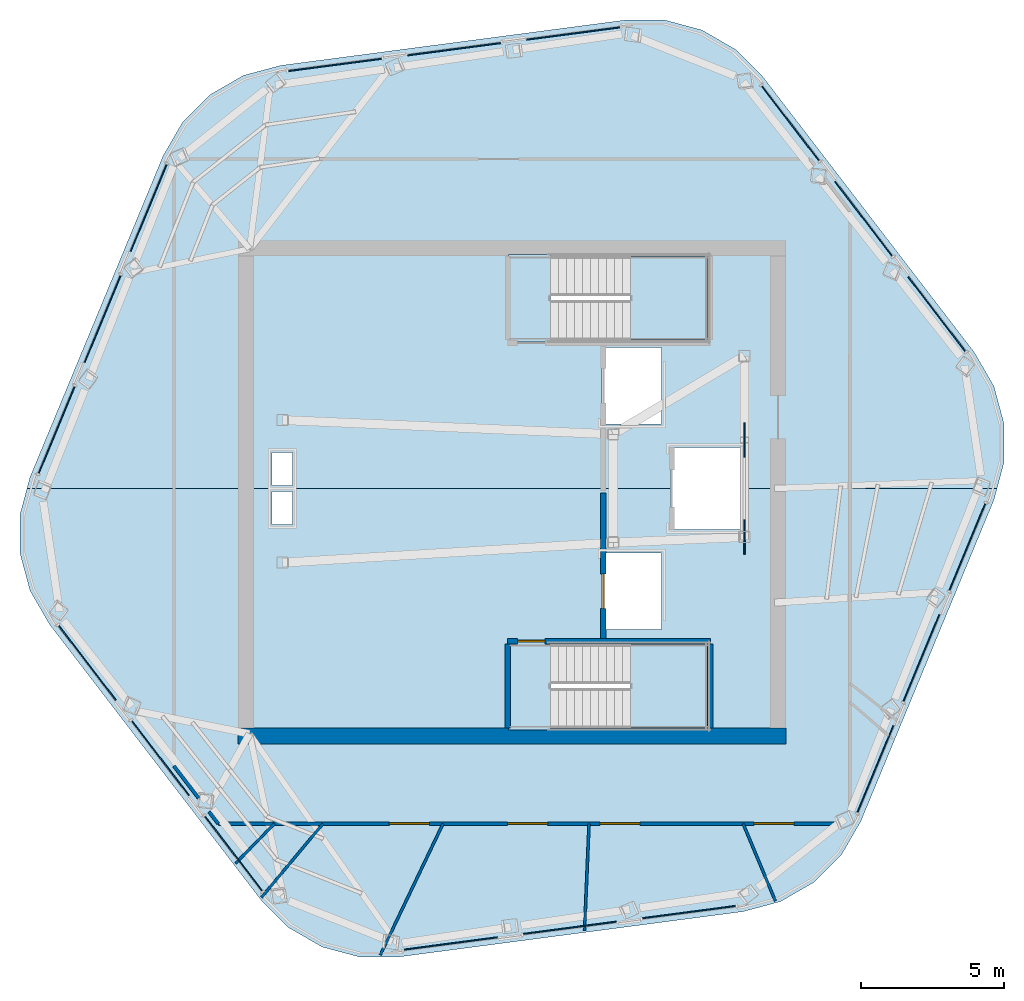
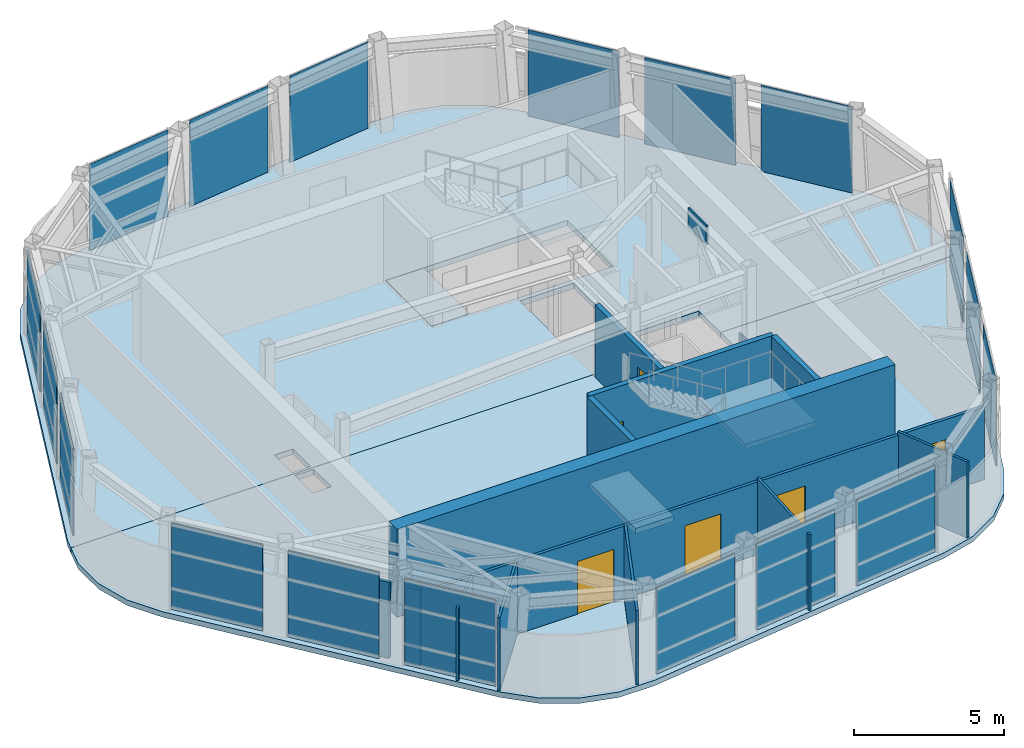
# One storey, part 5 of 9: 20 plates, 13 walls, 6 doors, 6 slabs, 6 openings, 8 elements without a shape of their own.
"""IFC4 building model written with IfcOpenShell, lengths in metres."""

from ifc_helpers import new_model, si_unit, direction, frame, frame_2d, origin, origin_2d, place, context, subcontext, project, spatial, polyline, rectangle, outline, extrude, material, layer, layer_set, type_object, element, fill, aggregate, save


model = new_model("IFC4")

# Units and contexts
model_context = context("Model", 3, precision=1e-05, world=origin(), true_north=direction((0.0, 1.0)))
body_context = subcontext(model_context, "Body", "Model", "MODEL_VIEW")
ifc_project = project(units=[si_unit("LENGTHUNIT", "METRE"), si_unit("AREAUNIT", "SQUARE_METRE"), si_unit("VOLUMEUNIT", "CUBIC_METRE"), si_unit("PLANEANGLEUNIT", "RADIAN"), si_unit("MASSUNIT", "GRAM", prefix="KILO")], contexts=[model_context])

# Site, building, storey
site_placement = place(None, origin())
site = spatial("IfcSite", under=ifc_project, at=site_placement, CompositionType="ELEMENT")
building_placement = place(site_placement, origin())
building = spatial("IfcBuilding", under=site, at=building_placement, Name="Valkerne Bourse Tower", CompositionType="ELEMENT")
storey_placement = place(building_placement, frame((0.0, 0.0, 315.39990234375)))
storey = spatial("IfcBuildingStorey", under=building, at=storey_placement, Name="L80", CompositionType="ELEMENT", Elevation=315.39990234375)

# Curtain wall, plates
ifc_material_1 = material(Name="Aluminium AA 6063-T6", Category="aluminium")
ifc_layer_1 = layer(ifc_material_1, 0.25)
ifc_layer_set_1 = layer_set([ifc_layer_1], Name="Aluminium AA 6063-T6")
curtain_wall_type = type_object("IfcCurtainWallType", Name="CW-06", PredefinedType="NOTDEFINED", material=ifc_layer_set_1)
curtain_wall_1_placement = place(storey_placement, origin())
curtain_wall_1 = element("IfcCurtainWall", 1, at=curtain_wall_1_placement, inside=storey, type_object=curtain_wall_type, Name="L80 Hexagonal Stick Curtain Wall Face 1", PredefinedType="NOTDEFINED")
ifc_material_2 = material(Name="Bronze Anodised Aluminium AA 6063-T6", Category="aluminium")
ifc_layer_2 = layer(ifc_material_2, 0.0400390625)
ifc_layer_set_2 = layer_set([ifc_layer_2], Name="Bronze Anodised Aluminium AA 6063-T6")
plate_type_1 = type_object("IfcPlateType", Name="CW-PNL-LOUVRE-40", PredefinedType="CURTAIN_PANEL", material=ifc_layer_set_2)
plate_1_placement = place(storey_placement, frame((48.94775390625, 42.95556640625, 0.030029296875), z_axis=(0.0, 0.0, 1.0), x_axis=(-0.991444272388, -0.130530665937, 0.0)))
plate_1 = element("IfcPlate", 2, at=plate_1_placement, type_object=plate_type_1, Name="CW-L80-F1 Curtain Panel 00", PredefinedType="CURTAIN_PANEL", context=body_context, shape_type="SweptSolid", body=[
    extrude(rectangle(XDim=3.2919921875, YDim=0.0400390625, at=origin_2d()), origin(), (0.0, 0.0, 1.0), 3.52001953125),
])
plate_2_placement = place(storey_placement, frame((44.771728515625, 42.40576171875, 0.030029296875), z_axis=(0.0, 0.0, 1.0), x_axis=(-0.991443867861, -0.130533738481, 0.0)))
plate_2 = element("IfcPlate", 3, at=plate_2_placement, type_object=plate_type_1, Name="CW-L80-F1 Curtain Panel 01", PredefinedType="CURTAIN_PANEL", context=body_context, shape_type="SweptSolid", body=[
    extrude(rectangle(XDim=3.2919921875, YDim=0.0400390625, at=origin_2d()), origin(), (0.0, 0.0, 1.0), 3.52001953125),
])
plate_3_placement = place(storey_placement, frame((40.595703125, 41.85595703125, 0.030029296875), z_axis=(0.0, 0.0, 1.0), x_axis=(-0.991447344601, -0.130507328854, 0.0)))
plate_3 = element("IfcPlate", 4, at=plate_3_placement, type_object=plate_type_1, Name="CW-L80-F1 Curtain Panel 02", PredefinedType="CURTAIN_PANEL", context=body_context, shape_type="SweptSolid", body=[
    extrude(rectangle(XDim=3.2919921875, YDim=0.0400390625, at=origin_2d()), origin(), (0.0, 0.0, 1.0), 3.52001953125),
])
aggregate(curtain_wall_1, [plate_1, plate_2, plate_3])

curtain_wall_2_placement = place(storey_placement, origin())
curtain_wall_2 = element("IfcCurtainWall", 5, at=curtain_wall_2_placement, inside=storey, type_object=curtain_wall_type, Name="L80 Hexagonal Stick Curtain Wall Face 2", PredefinedType="NOTDEFINED")
plate_4_placement = place(storey_placement, frame((34.055908203125, 36.837890625, 0.030029296875), z_axis=(0.0, 0.0, 1.0), x_axis=(-0.382689378694, -0.923877069439, 0.0)))
plate_4 = element("IfcPlate", 6, at=plate_4_placement, type_object=plate_type_1, Name="CW-L80-F2 Curtain Panel 00", PredefinedType="CURTAIN_PANEL", context=body_context, shape_type="SweptSolid", body=[
    extrude(rectangle(XDim=3.2919921875, YDim=0.0400390625, at=origin_2d()), origin(), (0.0, 0.0, 1.0), 3.52001953125),
])
plate_5_placement = place(storey_placement, frame((32.444091796875, 32.9462890625, 0.030029296875), z_axis=(0.0, 0.0, 1.0), x_axis=(-0.382669113873, -0.923885463295, 0.0)))
plate_5 = element("IfcPlate", 7, at=plate_5_placement, type_object=plate_type_1, Name="CW-L80-F2 Curtain Panel 01", PredefinedType="CURTAIN_PANEL", context=body_context, shape_type="SweptSolid", body=[
    extrude(rectangle(XDim=3.2919921875, YDim=0.0400390625, at=origin_2d()), origin(), (0.0, 0.0, 1.0), 3.52001953125),
])
plate_6_placement = place(storey_placement, frame((30.832275390625, 29.054931640625, 0.030029296875), z_axis=(0.0, 0.0, 1.0), x_axis=(-0.382689378694, -0.923877069439, 0.0)))
plate_6 = element("IfcPlate", 8, at=plate_6_placement, type_object=plate_type_1, Name="CW-L80-F2 Curtain Panel 02", PredefinedType="CURTAIN_PANEL", context=body_context, shape_type="SweptSolid", body=[
    extrude(rectangle(XDim=3.2919921875, YDim=0.0400390625, at=origin_2d()), origin(), (0.0, 0.0, 1.0), 3.52001953125),
])
aggregate(curtain_wall_2, [plate_4, plate_5, plate_6])

curtain_wall_3_placement = place(storey_placement, origin())
curtain_wall_3 = element("IfcCurtainWall", 9, at=curtain_wall_3_placement, inside=storey, type_object=curtain_wall_type, Name="L80 Hexagonal Stick Curtain Wall Face 3", PredefinedType="NOTDEFINED")
plate_7_placement = place(storey_placement, frame((31.908203125, 20.882080078125, 0.030029296875), z_axis=(0.0, 0.0, 1.0), x_axis=(0.608761449474, -0.793353324588, 0.0)))
plate_7 = element("IfcPlate", 10, at=plate_7_placement, type_object=plate_type_1, Name="CW-L80-F3 Curtain Panel 00", PredefinedType="CURTAIN_PANEL", context=body_context, shape_type="SweptSolid", body=[
    extrude(rectangle(XDim=3.2919921875, YDim=0.0400390625, at=origin_2d()), origin(), (0.0, 0.0, 1.0), 3.52001953125),
])
plate_8_placement = place(storey_placement, frame((34.472412109375, 17.54052734375, 0.030029296875), z_axis=(0.0, 0.0, 1.0), x_axis=(0.608761449474, -0.793353324588, 0.0)))
plate_8 = element("IfcPlate", 11, at=plate_8_placement, type_object=plate_type_1, Name="CW-L80-F3 Curtain Panel 01", PredefinedType="CURTAIN_PANEL", context=body_context, shape_type="SweptSolid", body=[
    extrude(rectangle(XDim=3.2919921875, YDim=0.0400390625, at=origin_2d()), origin(), (0.0, 0.0, 1.0), 3.52001953125),
])
plate_9_placement = place(storey_placement, frame((37.036376953125, 14.198974609375, 0.030029296875), z_axis=(0.0, 0.0, 1.0), x_axis=(0.608761449474, -0.793353324588, 0.0)))
plate_9 = element("IfcPlate", 12, at=plate_9_placement, type_object=plate_type_1, Name="CW-L80-F3 Curtain Panel 02", PredefinedType="CURTAIN_PANEL", context=body_context, shape_type="SweptSolid", body=[
    extrude(rectangle(XDim=3.2919921875, YDim=0.0400390625, at=origin_2d()), origin(), (0.0, 0.0, 1.0), 3.52001953125),
])
aggregate(curtain_wall_3, [plate_7, plate_8, plate_9])

curtain_wall_4_placement = place(storey_placement, origin())
curtain_wall_4 = element("IfcCurtainWall", 13, at=curtain_wall_4_placement, inside=storey, type_object=curtain_wall_type, Name="L80 Hexagonal Stick Curtain Wall Face 4", PredefinedType="NOTDEFINED")
plate_10_placement = place(storey_placement, frame((44.65234375, 11.04443359375, 0.030029296875), z_axis=(0.0, 0.0, 1.0), x_axis=(0.991444272388, 0.130530665937, 0.0)))
plate_10 = element("IfcPlate", 14, at=plate_10_placement, type_object=plate_type_1, Name="CW-L80-F4 Curtain Panel 00", PredefinedType="CURTAIN_PANEL", context=body_context, shape_type="SweptSolid", body=[
    extrude(rectangle(XDim=3.2919921875, YDim=0.0400390625, at=origin_2d()), origin(), (0.0, 0.0, 1.0), 3.52001953125),
])
plate_11_placement = place(storey_placement, frame((48.828125, 11.59423828125, 0.030029296875), z_axis=(0.0, 0.0, 1.0), x_axis=(0.991443867861, 0.130533738481, 0.0)))
plate_11 = element("IfcPlate", 15, at=plate_11_placement, type_object=plate_type_1, Name="CW-L80-F4 Curtain Panel 01", PredefinedType="CURTAIN_PANEL", context=body_context, shape_type="SweptSolid", body=[
    extrude(rectangle(XDim=3.2919921875, YDim=0.0400390625, at=origin_2d()), origin(), (0.0, 0.0, 1.0), 3.52001953125),
])
plate_12_placement = place(storey_placement, frame((53.004150390625, 12.14404296875, 0.030029296875), z_axis=(0.0, 0.0, 1.0), x_axis=(0.991447344601, 0.130507328854, 0.0)))
plate_12 = element("IfcPlate", 16, at=plate_12_placement, type_object=plate_type_1, Name="CW-L80-F4 Curtain Panel 02", PredefinedType="CURTAIN_PANEL", context=body_context, shape_type="SweptSolid", body=[
    extrude(rectangle(XDim=3.2919921875, YDim=0.0400390625, at=origin_2d()), origin(), (0.0, 0.0, 1.0), 3.52001953125),
])
aggregate(curtain_wall_4, [plate_10, plate_11, plate_12])

curtain_wall_5_placement = place(storey_placement, origin())
curtain_wall_5 = element("IfcCurtainWall", 17, at=curtain_wall_5_placement, inside=storey, type_object=curtain_wall_type, Name="L80 Hexagonal Stick Curtain Wall Face 5", PredefinedType="NOTDEFINED")
plate_13_placement = place(storey_placement, frame((59.5439453125, 17.162109375, 0.030029296875), z_axis=(0.0, 0.0, 1.0), x_axis=(0.382689378694, 0.923877069439, 0.0)))
plate_13 = element("IfcPlate", 18, at=plate_13_placement, type_object=plate_type_1, Name="CW-L80-F5 Curtain Panel 00", PredefinedType="CURTAIN_PANEL", context=body_context, shape_type="SweptSolid", body=[
    extrude(rectangle(XDim=3.2919921875, YDim=0.0400390625, at=origin_2d()), origin(), (0.0, 0.0, 1.0), 3.52001953125),
])
plate_14_placement = place(storey_placement, frame((61.156005859375, 21.0537109375, 0.030029296875), z_axis=(0.0, 0.0, 1.0), x_axis=(0.382669113873, 0.923885463295, 0.0)))
plate_14 = element("IfcPlate", 19, at=plate_14_placement, type_object=plate_type_1, Name="CW-L80-F5 Curtain Panel 01", PredefinedType="CURTAIN_PANEL", context=body_context, shape_type="SweptSolid", body=[
    extrude(rectangle(XDim=3.2919921875, YDim=0.0400390625, at=origin_2d()), origin(), (0.0, 0.0, 1.0), 3.52001953125),
])
plate_15_placement = place(storey_placement, frame((62.767578125, 24.945068359375, 0.030029296875), z_axis=(0.0, 0.0, 1.0), x_axis=(0.382689378694, 0.923877069439, 0.0)))
plate_15 = element("IfcPlate", 20, at=plate_15_placement, type_object=plate_type_1, Name="CW-L80-F5 Curtain Panel 02", PredefinedType="CURTAIN_PANEL", context=body_context, shape_type="SweptSolid", body=[
    extrude(rectangle(XDim=3.2919921875, YDim=0.0400390625, at=origin_2d()), origin(), (0.0, 0.0, 1.0), 3.52001953125),
])
aggregate(curtain_wall_5, [plate_13, plate_14, plate_15])

curtain_wall_6_placement = place(storey_placement, origin())
curtain_wall_6 = element("IfcCurtainWall", 21, at=curtain_wall_6_placement, inside=storey, type_object=curtain_wall_type, Name="L80 Hexagonal Stick Curtain Wall Face 6", PredefinedType="NOTDEFINED")
plate_16_placement = place(storey_placement, frame((61.69189453125, 33.117919921875, 0.030029296875), z_axis=(0.0, 0.0, 1.0), x_axis=(-0.608761449474, 0.793353324588, 0.0)))
plate_16 = element("IfcPlate", 22, at=plate_16_placement, type_object=plate_type_1, Name="CW-L80-F6 Curtain Panel 00", PredefinedType="CURTAIN_PANEL", context=body_context, shape_type="SweptSolid", body=[
    extrude(rectangle(XDim=3.2919921875, YDim=0.0400390625, at=origin_2d()), origin(), (0.0, 0.0, 1.0), 3.52001953125),
])
plate_17_placement = place(storey_placement, frame((59.127685546875, 36.45947265625, 0.030029296875), z_axis=(0.0, 0.0, 1.0), x_axis=(-0.608761449474, 0.793353324588, 0.0)))
plate_17 = element("IfcPlate", 23, at=plate_17_placement, type_object=plate_type_1, Name="CW-L80-F6 Curtain Panel 01", PredefinedType="CURTAIN_PANEL", context=body_context, shape_type="SweptSolid", body=[
    extrude(rectangle(XDim=3.2919921875, YDim=0.0400390625, at=origin_2d()), origin(), (0.0, 0.0, 1.0), 3.52001953125),
])
plate_18_placement = place(storey_placement, frame((56.563720703125, 39.801025390625, 0.030029296875), z_axis=(0.0, 0.0, 1.0), x_axis=(-0.608761449474, 0.793353324588, 0.0)))
plate_18 = element("IfcPlate", 24, at=plate_18_placement, type_object=plate_type_1, Name="CW-L80-F6 Curtain Panel 02", PredefinedType="CURTAIN_PANEL", context=body_context, shape_type="SweptSolid", body=[
    extrude(rectangle(XDim=3.2919921875, YDim=0.0400390625, at=origin_2d()), origin(), (0.0, 0.0, 1.0), 3.52001953125),
])
aggregate(curtain_wall_6, [plate_16, plate_17, plate_18])

# Plates
ifc_material_3 = material(Name="Steel ASTM A572 Grade 50", Category="steel")
ifc_layer_3 = layer(ifc_material_3, 0.06005859375)
ifc_layer_set_3 = layer_set([ifc_layer_3], Name="Steel ASTM A572 Grade 50")
plate_type_2 = type_object("IfcPlateType", Name="PLT-GUS-60", PredefinedType="SHEET", material=ifc_layer_set_3)
for number, where, z_axis, x_axis, name in (
    (25, (54.949951171875, 25.300048828125, -0.1796875), (0.0, 0.0, 1.0), (0.0, 1.0, 0.0), "L80 Brace Node Gusset Plate PLT-GUS-END-L80-476"),
    (26, (54.949951171875, 28.699951171875, 2.8740234375), (0.0, 0.0, 1.0), (0.0, 1.0, 0.0), "L80 Brace Node Gusset Plate PLT-GUS-END-L80-477"),
):
    element("IfcPlate", number, at=place(storey_placement, frame(where, z_axis=z_axis, x_axis=x_axis)), inside=storey, type_object=plate_type_2, Name=name, PredefinedType="SHEET", context=body_context, shape_type="SweptSolid", body=[
        extrude(rectangle(XDim=1.199951171875, YDim=0.06005859375, at=origin_2d()), origin(), (0.0, 0.0, 1.0), 0.800048828125),
    ])

# Slabs
ifc_material_4 = material(Name="Concrete C40/50", Category="concrete")
ifc_layer_4 = layer(ifc_material_4, 0.219970703125)
ifc_layer_set_4 = layer_set([ifc_layer_4], Name="Concrete C40/50")
slab_type_1 = type_object("IfcSlabType", Name="SLB-CRN-220", PredefinedType="FLOOR", material=ifc_layer_set_4)
slab_1_placement = place(storey_placement, frame((0.0, 0.0, -0.219970703125)))
element("IfcSlab", 27, at=slab_1_placement, inside=storey, type_object=slab_type_1, Name="L80 Hexagonal Composite Floor Slab S", PredefinedType="FLOOR", context=body_context, shape_type="SweptSolid", body=[
    extrude(outline(polyline([(63.6953125, 26.601806640625), (59.0283203125, 15.334716796875), (58.349609375, 14.1591796875), (57.3896484375, 13.19921875), (56.214111328125, 12.5205078125), (54.90283203125, 12.169189453125), (42.811767578125, 10.577392578125), (41.4541015625, 10.577392578125), (40.14306640625, 10.9287109375), (38.96728515625, 11.607421875), (38.007568359375, 12.567138671875), (30.583251953125, 22.24267578125), (29.904541015625, 23.418212890625), (29.55322265625, 24.7294921875), (29.55322265625, 26.0869140625), (29.7978515625, 27.0), (52.360107421875, 27.0), (52.360107421875, 25.56005859375), (54.840087890625, 25.56005859375), (54.840087890625, 27.0), (63.802001953125, 27.0), (63.6953125, 26.601806640625)]), holes=[polyline([(46.6650390625, 18.534912109375), (53.675048828125, 18.534912109375), (53.675048828125, 21.614990234375), (46.6650390625, 21.614990234375), (46.6650390625, 18.534912109375)]), polyline([(49.9599609375, 24.739990234375), (49.9599609375, 22.06005859375), (52.0400390625, 22.06005859375), (52.0400390625, 24.739990234375), (49.9599609375, 24.739990234375)]), polyline([(38.3798828125, 26.89990234375), (38.3798828125, 25.72998046875), (39.10009765625, 25.72998046875), (39.10009765625, 26.89990234375), (38.3798828125, 26.89990234375)])]), origin(), (0.0, 0.0, 1.0), 0.219970703125),
])
slab_2_placement = place(storey_placement, frame((0.0, 0.0, -0.219970703125)))
element("IfcSlab", 28, at=slab_2_placement, inside=storey, type_object=slab_type_1, Name="L80 Hexagonal Composite Floor Slab N", PredefinedType="FLOOR", context=body_context, shape_type="SweptSolid", body=[
    extrude(outline(polyline([(63.6953125, 30.581787109375), (64.046630859375, 29.2705078125), (64.046630859375, 27.9130859375), (63.802001953125, 27.0), (54.840087890625, 27.0), (54.840087890625, 28.43994140625), (52.360107421875, 28.43994140625), (52.360107421875, 27.0), (29.7978515625, 27.0), (29.904541015625, 27.398193359375), (34.571533203125, 38.665283203125), (35.25048828125, 39.8408203125), (36.210205078125, 40.80078125), (37.385986328125, 41.4794921875), (38.697021484375, 41.830810546875), (50.788330078125, 43.422607421875), (52.145751953125, 43.422607421875), (53.45703125, 43.0712890625), (54.632568359375, 42.392578125), (55.592529296875, 41.432861328125), (63.0166015625, 31.75732421875), (63.6953125, 30.581787109375)]), holes=[polyline([(38.3798828125, 28.27001953125), (38.3798828125, 27.10009765625), (39.10009765625, 27.10009765625), (39.10009765625, 28.27001953125), (38.3798828125, 28.27001953125)]), polyline([(49.9599609375, 31.93994140625), (49.9599609375, 29.260009765625), (52.0400390625, 29.260009765625), (52.0400390625, 31.93994140625), (49.9599609375, 31.93994140625)]), polyline([(46.6650390625, 35.215087890625), (46.6650390625, 32.135009765625), (53.675048828125, 32.135009765625), (53.675048828125, 35.215087890625), (46.6650390625, 35.215087890625)])]), origin(), (0.0, 0.0, 1.0), 0.219970703125),
])
ifc_layer_5 = layer(ifc_material_4, 0.25)
ifc_layer_set_5 = layer_set([ifc_layer_5], Name="Concrete C40/50")
slab_type_2 = type_object("IfcSlabType", Name="SLB-RMP-LND-250", PredefinedType="LANDING", material=ifc_layer_set_5)
slab_3_placement = place(storey_placement, frame((0.0, 0.0, -0.219970703125)))
element("IfcSlab", 29, at=slab_3_placement, inside=storey, type_object=slab_type_2, Name="L80 ST-1 Floor Landing Slab", PredefinedType="LANDING", context=body_context, shape_type="SweptSolid", body=[
    extrude(outline(polyline([(46.669921875, 18.5400390625), (48.14990234375, 18.5400390625), (48.14990234375, 21.610107421875), (46.669921875, 21.610107421875), (46.669921875, 18.5400390625)])), origin(), (0.0, 0.0, 1.0), 0.219970703125),
])
slab_4_placement = place(storey_placement, frame((0.0, 0.0, -0.219970703125)))
element("IfcSlab", 30, at=slab_4_placement, inside=storey, type_object=slab_type_2, Name="L80 ST-2 Floor Landing Slab", PredefinedType="LANDING", context=body_context, shape_type="SweptSolid", body=[
    extrude(outline(polyline([(46.669921875, 32.139892578125), (48.14990234375, 32.139892578125), (48.14990234375, 35.2099609375), (46.669921875, 35.2099609375), (46.669921875, 32.139892578125)])), origin(), (0.0, 0.0, 1.0), 0.219970703125),
])

# Stair, slab
stair_type = type_object("IfcStairType", Name="ST-CORE-1400", PredefinedType="HALF_TURN_STAIR", material=ifc_material_4)
stair_1_placement = place(storey_placement, origin())
stair_1 = element("IfcStair", 31, at=stair_1_placement, inside=storey, type_object=stair_type, Name="L80 ST-1", PredefinedType="HALF_TURN_STAIR")
ifc_layer_6 = layer(ifc_material_4, 0.179931640625)
ifc_layer_set_6 = layer_set([ifc_layer_6], Name="Concrete C40/50")
slab_type_3 = type_object("IfcSlabType", Name="SLB-ST-LND-180", PredefinedType="LANDING", material=ifc_layer_set_6)
slab_5_placement = place(storey_placement, frame((0.0, 0.0, 1.7001953125)))
slab_5 = element("IfcSlab", 32, at=slab_5_placement, type_object=slab_type_3, Name="ST-1 landing 1", PredefinedType="LANDING", context=body_context, shape_type="SweptSolid", body=[
    extrude(outline(polyline([(50.949951171875, 18.60009765625), (53.64990234375, 18.60009765625), (53.64990234375, 21.550048828125), (50.949951171875, 21.550048828125), (50.949951171875, 18.60009765625)])), origin(), (0.0, 0.0, 1.0), 0.199951171875),
])
aggregate(stair_1, [slab_5])

stair_2_placement = place(storey_placement, origin())
stair_2 = element("IfcStair", 33, at=stair_2_placement, inside=storey, type_object=stair_type, Name="L80 ST-2", PredefinedType="HALF_TURN_STAIR")
slab_6_placement = place(storey_placement, frame((0.0, 0.0, 1.7001953125)))
slab_6 = element("IfcSlab", 34, at=slab_6_placement, type_object=slab_type_3, Name="ST-2 landing 1", PredefinedType="LANDING", context=body_context, shape_type="SweptSolid", body=[
    extrude(outline(polyline([(50.949951171875, 32.199951171875), (53.64990234375, 32.199951171875), (53.64990234375, 35.14990234375), (50.949951171875, 35.14990234375), (50.949951171875, 32.199951171875)])), origin(), (0.0, 0.0, 1.0), 0.199951171875),
])
aggregate(stair_2, [slab_6])

# Wall
ifc_material_5 = material(Name="Concrete C55/67", Category="concrete")
ifc_layer_7 = layer(ifc_material_5, 0.550048828125)
ifc_layer_set_7 = layer_set([ifc_layer_7], Name="Concrete C55/67")
wall_type_1 = type_object("IfcWallType", Name="W-CORE-550", PredefinedType="SHEAR", material=ifc_layer_set_7)
wall_1_placement = place(storey_placement, frame((37.199951171875, 18.324951171875, 0.0), z_axis=(0.0, 0.0, 1.0), x_axis=(1.0, 0.0, 0.0)))
element("IfcWall", 35, at=wall_1_placement, inside=storey, type_object=wall_type_1, Name="L80 Core Shear Wall SOUTH", PredefinedType="SHEAR", context=body_context, shape_type="SweptSolid", body=[
    extrude(rectangle(XDim=19.199951171875, YDim=0.550048828125, at=frame_2d((9.60009765625, 0.0))), origin(), (0.0, 0.0, 1.0), 3.580078125),
])

# Wall, openings, doors
ifc_material_6 = material(Name="Gypsum Board Steel-Stud Partition", Category="steel")
ifc_layer_8 = layer(ifc_material_6, 0.117919921875)
ifc_layer_set_8 = layer_set([ifc_layer_8], Name="Gypsum Board Steel-Stud Partition")
wall_type_2 = type_object("IfcWallType", Name="W-CORR-140", PredefinedType="PARTITIONING", material=ifc_layer_set_8)
wall_2_placement = place(storey_placement, frame((58.186279296875, 15.25, 0.0), z_axis=(0.0, 0.0, 1.0), x_axis=(-1.0, 0.0, 0.0)))
wall_2 = element("IfcWall", 36, at=wall_2_placement, inside=storey, type_object=wall_type_2, Name="L80 Corridor Enclosure Wall", PredefinedType="PARTITIONING", context=body_context, shape_type="SweptSolid", body=[
    extrude(rectangle(XDim=21.682861328125, YDim=0.117919921875, at=frame_2d((10.84130859375, 0.0))), origin(), (0.0, 0.0, 1.0), 2.963134765625),
])
opening_1_placement = place(wall_2_placement, frame((14.28125, 0.0, 0.0)))
opening_1 = element("IfcOpeningElement", 37, at=opening_1_placement, cuts=wall_2, Name="Opening D-PL-1400", PredefinedType="OPENING", context=body_context, shape_type="SweptSolid", body=[
    extrude(rectangle(XDim=1.39990234375, YDim=2.14990234375, at=frame_2d((0.699951171875, 1.074951171875))), frame((0.0, 0.06884765625, 0.0), z_axis=(0.0, -1.0, 0.0), x_axis=(1.0, 0.0, 0.0)), (0.0, 0.0, 1.0), 0.137939453125),
])
opening_2_placement = place(wall_2_placement, frame((10.141357421875, 0.0, 0.0)))
opening_2 = element("IfcOpeningElement", 38, at=opening_2_placement, cuts=wall_2, Name="Opening D-PL-1400", PredefinedType="OPENING", context=body_context, shape_type="SweptSolid", body=[
    extrude(rectangle(XDim=1.39990234375, YDim=2.14990234375, at=frame_2d((0.699951171875, 1.074951171875))), frame((0.0, 0.06884765625, 0.0), z_axis=(0.0, -1.0, 0.0), x_axis=(1.0, 0.0, 0.0)), (0.0, 0.0, 1.0), 0.137939453125),
])
opening_3_placement = place(wall_2_placement, frame((6.9013671875, 0.0, 0.0)))
opening_3 = element("IfcOpeningElement", 39, at=opening_3_placement, cuts=wall_2, Name="Opening D-PL-1400", PredefinedType="OPENING", context=body_context, shape_type="SweptSolid", body=[
    extrude(rectangle(XDim=1.39990234375, YDim=2.14990234375, at=frame_2d((0.699951171875, 1.074951171875))), frame((0.0, 0.06884765625, 0.0), z_axis=(0.0, -1.0, 0.0), x_axis=(1.0, 0.0, 0.0)), (0.0, 0.0, 1.0), 0.137939453125),
])
opening_4_placement = place(wall_2_placement, frame((1.501220703125, 0.0, 0.0)))
opening_4 = element("IfcOpeningElement", 40, at=opening_4_placement, cuts=wall_2, Name="Opening D-PL-1400", PredefinedType="OPENING", context=body_context, shape_type="SweptSolid", body=[
    extrude(rectangle(XDim=1.39990234375, YDim=2.14990234375, at=frame_2d((0.699951171875, 1.074951171875))), frame((0.0, 0.06884765625, 0.0), z_axis=(0.0, -1.0, 0.0), x_axis=(1.0, 0.0, 0.0)), (0.0, 0.0, 1.0), 0.137939453125),
])
ifc_material_7 = material(Name="Galvanised Painted Steel", Category="steel")
door_type_1 = type_object("IfcDoorType", Name="DR-PLT-1400", OperationType="DOUBLE_DOOR_SINGLE_SWING", PredefinedType="DOOR", material=ifc_material_7)
door_1_placement = place(opening_1_placement, origin())
door_1 = element("IfcDoor", 41, at=door_1_placement, inside=storey, type_object=door_type_1, Name="L80 L80 Central Centrifugal Chiller Mechanical Plant Room 1 Door", OperationType="DOUBLE_DOOR_SINGLE_SWING", OverallHeight=2.14990234375, OverallWidth=1.39990234375, PredefinedType="DOOR", context=body_context, shape_type="SweptSolid", body=[
    extrude(rectangle(XDim=1.39990234375, YDim=2.14990234375, at=frame_2d((0.699951171875, 1.074951171875))), frame((0.0, 0.02490234375, 0.0), z_axis=(0.0, -1.0, 0.0), x_axis=(1.0, 0.0, 0.0)), (0.0, 0.0, 1.0), 0.050048828125),
])
fill(opening_1, door_1)
door_2_placement = place(opening_2_placement, origin())
door_2 = element("IfcDoor", 42, at=door_2_placement, inside=storey, type_object=door_type_1, Name="L80 L80 Condensing Heating Boiler Mechanical Plant Room 2 Door", OperationType="DOUBLE_DOOR_SINGLE_SWING", OverallHeight=2.14990234375, OverallWidth=1.39990234375, PredefinedType="DOOR", context=body_context, shape_type="SweptSolid", body=[
    extrude(rectangle(XDim=1.39990234375, YDim=2.14990234375, at=frame_2d((0.699951171875, 1.074951171875))), frame((0.0, 0.02490234375, 0.0), z_axis=(0.0, -1.0, 0.0), x_axis=(1.0, 0.0, 0.0)), (0.0, 0.0, 1.0), 0.050048828125),
])
fill(opening_2, door_2)
door_3_placement = place(opening_3_placement, origin())
door_3 = element("IfcDoor", 43, at=door_3_placement, inside=storey, type_object=door_type_1, Name="L80 L80 Crown 12.47 kV Electrical Switchroom Plant 3 Door", OperationType="DOUBLE_DOOR_SINGLE_SWING", OverallHeight=2.14990234375, OverallWidth=1.39990234375, PredefinedType="DOOR", context=body_context, shape_type="SweptSolid", body=[
    extrude(rectangle(XDim=1.39990234375, YDim=2.14990234375, at=frame_2d((0.699951171875, 1.074951171875))), frame((0.0, 0.02490234375, 0.0), z_axis=(0.0, -1.0, 0.0), x_axis=(1.0, 0.0, 0.0)), (0.0, 0.0, 1.0), 0.050048828125),
])
fill(opening_3, door_3)
door_4_placement = place(opening_4_placement, origin())
door_4 = element("IfcDoor", 44, at=door_4_placement, inside=storey, type_object=door_type_1, Name="L80 L80 Crown Building Automation Mechanical Plant Room 4 Door", OperationType="DOUBLE_DOOR_SINGLE_SWING", OverallHeight=2.14990234375, OverallWidth=1.39990234375, PredefinedType="DOOR", context=body_context, shape_type="SweptSolid", body=[
    extrude(rectangle(XDim=1.39990234375, YDim=2.14990234375, at=frame_2d((0.699951171875, 1.074951171875))), frame((0.0, 0.02490234375, 0.0), z_axis=(0.0, -1.0, 0.0), x_axis=(1.0, 0.0, 0.0)), (0.0, 0.0, 1.0), 0.050048828125),
])
fill(opening_4, door_4)

# Walls
wall_3_placement = place(storey_placement, frame((36.50341796875, 15.25, 0.0), z_axis=(0.0, 0.0, 1.0), x_axis=(-0.608906682712, 0.793241862076, 0.0)))
element("IfcWall", 45, at=wall_3_placement, inside=storey, type_object=wall_type_2, Name="L80 Corridor Enclosure Wall", PredefinedType="PARTITIONING", context=body_context, shape_type="SweptSolid", body=[
    extrude(rectangle(XDim=0.528564453125, YDim=0.117919921875, at=frame_2d((0.26416015625, 0.0))), origin(), (0.0, 0.0, 1.0), 3.09521484375),
])
wall_4_placement = place(storey_placement, frame((35.81640625, 16.1455078125, 0.0), z_axis=(0.0, 0.0, 1.0), x_axis=(-0.608773594501, 0.793344005232, 0.0)))
element("IfcWall", 46, at=wall_4_placement, inside=storey, type_object=wall_type_2, Name="L80 Corridor Enclosure Wall", PredefinedType="PARTITIONING", context=body_context, shape_type="SweptSolid", body=[
    extrude(rectangle(XDim=1.42333984375, YDim=0.117919921875, at=frame_2d((0.711669921875, 0.0))), origin(), (0.0, 0.0, 1.0), 3.09521484375),
])

# Wall, opening, door
ifc_material_8 = material(Name="Gypsum Fire-Rated Shaftwall", Category="gypsum")
ifc_layer_9 = layer(ifc_material_8, 0.179931640625)
ifc_layer_set_9 = layer_set([ifc_layer_9], Name="Gypsum Fire-Rated Shaftwall")
wall_type_3 = type_object("IfcWallType", Name="W-FSAE-180", PredefinedType="PARTITIONING", material=ifc_layer_set_9)
wall_5_placement = place(storey_placement, frame((50.0, 21.75, 0.0), z_axis=(0.0, 0.0, 1.0), x_axis=(0.0, 1.0, 0.0)))
wall_5 = element("IfcWall", 47, at=wall_5_placement, inside=storey, type_object=wall_type_3, Name="L80 FSAE-1 Lobby & Shaft Front Wall", PredefinedType="PARTITIONING", context=body_context, shape_type="SweptSolid", body=[
    extrude(rectangle(XDim=5.090087890625, YDim=0.179931640625, at=frame_2d((2.544921875, 0.0))), origin(), (0.0, 0.0, 1.0), 2.9580078125),
])
opening_5_placement = place(wall_5_placement, frame((1.050048828125, 0.0, 0.0)))
opening_5 = element("IfcOpeningElement", 48, at=opening_5_placement, cuts=wall_5, Name="Opening LD-1200", PredefinedType="OPENING", context=body_context, shape_type="SweptSolid", body=[
    extrude(rectangle(XDim=1.199951171875, YDim=2.14990234375, at=frame_2d((0.60009765625, 1.074951171875))), frame((0.0, 0.099853515625, 0.0), z_axis=(0.0, -1.0, 0.0), x_axis=(1.0, 0.0, 0.0)), (0.0, 0.0, 1.0), 0.199951171875),
])
ifc_material_9 = material(Name="Stainless Steel AISI 316", Category="steel")
door_type_2 = type_object("IfcDoorType", Name="DR-LIFT-1200", OperationType="DOUBLE_DOOR_SLIDING", PredefinedType="DOOR", material=ifc_material_9)
door_5_placement = place(opening_5_placement, origin())
door_5 = element("IfcDoor", 49, at=door_5_placement, inside=storey, type_object=door_type_2, Name="L80 FSAE-1 Firefighting Lift Landing Door", OperationType="DOUBLE_DOOR_SLIDING", OverallHeight=2.14990234375, OverallWidth=1.199951171875, PredefinedType="DOOR", context=body_context, shape_type="SweptSolid", body=[
    extrude(rectangle(XDim=1.199951171875, YDim=2.14990234375, at=frame_2d((0.60009765625, 1.074951171875))), frame((0.0, 0.02490234375, 0.0), z_axis=(0.0, -1.0, 0.0), x_axis=(1.0, 0.0, 0.0)), (0.0, 0.0, 1.0), 0.050048828125),
])
fill(opening_5, door_5)

# Walls
ifc_layer_10 = layer(ifc_material_6, 0.092041015625)
ifc_layer_set_10 = layer_set([ifc_layer_10], Name="Gypsum Board Steel-Stud Partition")
wall_type_4 = type_object("IfcWallType", Name="W-PART-115", PredefinedType="PARTITIONING", material=ifc_layer_set_10)
wall_6_placement = place(storey_placement, frame((54.904052734375, 15.2451171875, 0.0), z_axis=(0.0, 0.0, 1.0), x_axis=(0.385012154854, -0.922911502049, 0.0)))
element("IfcWall", 50, at=wall_6_placement, inside=storey, type_object=wall_type_4, Name="L80 Suite Partition P02", PredefinedType="PARTITIONING", context=body_context, shape_type="SweptSolid", body=[
    extrude(rectangle(XDim=2.927001953125, YDim=0.092041015625, at=frame_2d((1.46337890625, 0.0))), origin(), (0.0, 0.0, 1.0), 3.09521484375),
])
wall_7_placement = place(storey_placement, frame((44.3798828125, 15.2451171875, 0.0), z_axis=(0.0, 0.0, 1.0), x_axis=(-0.431296148428, -0.902210414677, 0.0)))
element("IfcWall", 51, at=wall_7_placement, inside=storey, type_object=wall_type_4, Name="L80 Suite Partition P03", PredefinedType="PARTITIONING", context=body_context, shape_type="SweptSolid", body=[
    extrude(rectangle(XDim=5.09619140625, YDim=0.092041015625, at=frame_2d((2.548095703125, 0.0))), origin(), (0.0, 0.0, 1.0), 3.021484375),
])
wall_8_placement = place(storey_placement, frame((38.46923828125, 15.2451171875, 0.0), z_axis=(0.0, 0.0, 1.0), x_axis=(-0.700235722968, -0.713911711824, 0.0)))
element("IfcWall", 52, at=wall_8_placement, inside=storey, type_object=wall_type_4, Name="L80 Suite Partition P04", PredefinedType="PARTITIONING", context=body_context, shape_type="SweptSolid", body=[
    extrude(rectangle(XDim=1.94580078125, YDim=0.092041015625, at=frame_2d((0.972900390625, 0.0))), origin(), (0.0, 0.0, 1.0), 2.963134765625),
])
wall_9_placement = place(storey_placement, frame((40.172119140625, 15.2451171875, 0.0), z_axis=(0.0, 0.0, 1.0), x_axis=(-0.641384866253, -0.76721929938, 0.0)))
element("IfcWall", 53, at=wall_9_placement, inside=storey, type_object=wall_type_4, Name="L80 Suite Partition P05", PredefinedType="PARTITIONING", context=body_context, shape_type="SweptSolid", body=[
    extrude(rectangle(XDim=3.3583984375, YDim=0.092041015625, at=frame_2d((1.67919921875, 0.0))), origin(), (0.0, 0.0, 1.0), 2.963134765625),
])
wall_10_placement = place(storey_placement, frame((49.500732421875, 15.2451171875, 0.0), z_axis=(0.0, 0.0, 1.0), x_axis=(-0.042420465119, -0.999099846932, 0.0)))
element("IfcWall", 54, at=wall_10_placement, inside=storey, type_object=wall_type_4, Name="L80 Suite Partition P06", PredefinedType="PARTITIONING", context=body_context, shape_type="SweptSolid", body=[
    extrude(rectangle(XDim=3.740966796875, YDim=0.092041015625, at=frame_2d((1.87060546875, 0.0))), origin(), (0.0, 0.0, 1.0), 3.09521484375),
])

# Wall, opening, door
ifc_layer_11 = layer(ifc_material_4, 0.199951171875)
ifc_layer_set_11 = layer_set([ifc_layer_11], Name="Concrete C40/50")
wall_type_5 = type_object("IfcWallType", Name="W-SHF-200", PredefinedType="SHEAR", material=ifc_layer_set_11)
wall_11_placement = place(storey_placement, frame((46.64990234375, 21.64990234375, 0.0), z_axis=(0.0, 0.0, 1.0), x_axis=(1.0, 0.0, 0.0)))
wall_11 = element("IfcWall", 55, at=wall_11_placement, inside=storey, type_object=wall_type_5, Name="L80 Exit Stair ST-1 Structural Shaft Wall North", PredefinedType="SHEAR", context=body_context, shape_type="SweptSolid", body=[
    extrude(rectangle(XDim=7.10009765625, YDim=0.199951171875, at=frame_2d((3.550048828125, 0.0))), origin(), (0.0, 0.0, 1.0), 3.580078125),
])
opening_6_placement = place(wall_11_placement, frame((0.35009765625, 0.0, 0.0)))
opening_6 = element("IfcOpeningElement", 56, at=opening_6_placement, cuts=wall_11, Name="Opening D-ST-950", PredefinedType="OPENING", context=body_context, shape_type="SweptSolid", body=[
    extrude(rectangle(XDim=0.949951171875, YDim=2.10009765625, at=frame_2d((0.47509765625, 1.050048828125))), frame((0.0, 0.10986328125, 0.0), z_axis=(0.0, -1.0, 0.0), x_axis=(1.0, 0.0, 0.0)), (0.0, 0.0, 1.0), 0.219970703125),
])
door_type_3 = type_object("IfcDoorType", Name="DR-STAIR-950", OperationType="NOTDEFINED", PredefinedType="DOOR", material=ifc_material_7)
door_6_placement = place(opening_6_placement, origin())
door_6 = element("IfcDoor", 57, at=door_6_placement, inside=storey, type_object=door_type_3, Name="L80 Exit Stair ST-1 Door", OperationType="SINGLE_SWING_RIGHT", OverallHeight=2.10009765625, OverallWidth=0.949951171875, PredefinedType="DOOR", context=body_context, shape_type="SweptSolid", body=[
    extrude(rectangle(XDim=0.949951171875, YDim=2.10009765625, at=frame_2d((0.47509765625, 1.050048828125))), frame((0.0, 0.02490234375, 0.0), z_axis=(0.0, -1.0, 0.0), x_axis=(1.0, 0.0, 0.0)), (0.0, 0.0, 1.0), 0.050048828125),
])
fill(opening_6, door_6)

# Walls
for number, where, z_axis, x_axis, name in (
    (58, (46.64990234375, 18.60009765625, 0.0), (0.0, 0.0, 1.0), (0.0, 1.0, 0.0), "L80 Exit Stair ST-1 Structural Shaft Wall West"),
    (59, (53.75, 18.60009765625, 0.0), (0.0, 0.0, 1.0), (0.0, 1.0, 0.0), "L80 Exit Stair ST-1 Structural Shaft Wall East"),
):
    element("IfcWall", number, at=place(storey_placement, frame(where, z_axis=z_axis, x_axis=x_axis)), inside=storey, type_object=wall_type_5, Name=name, PredefinedType="SHEAR", context=body_context, shape_type="SweptSolid", body=[
        extrude(rectangle(XDim=2.949951171875, YDim=0.199951171875, at=frame_2d((1.47509765625, 0.0))), origin(), (0.0, 0.0, 1.0), 3.580078125),
    ])

save(model, "model.ifc")
